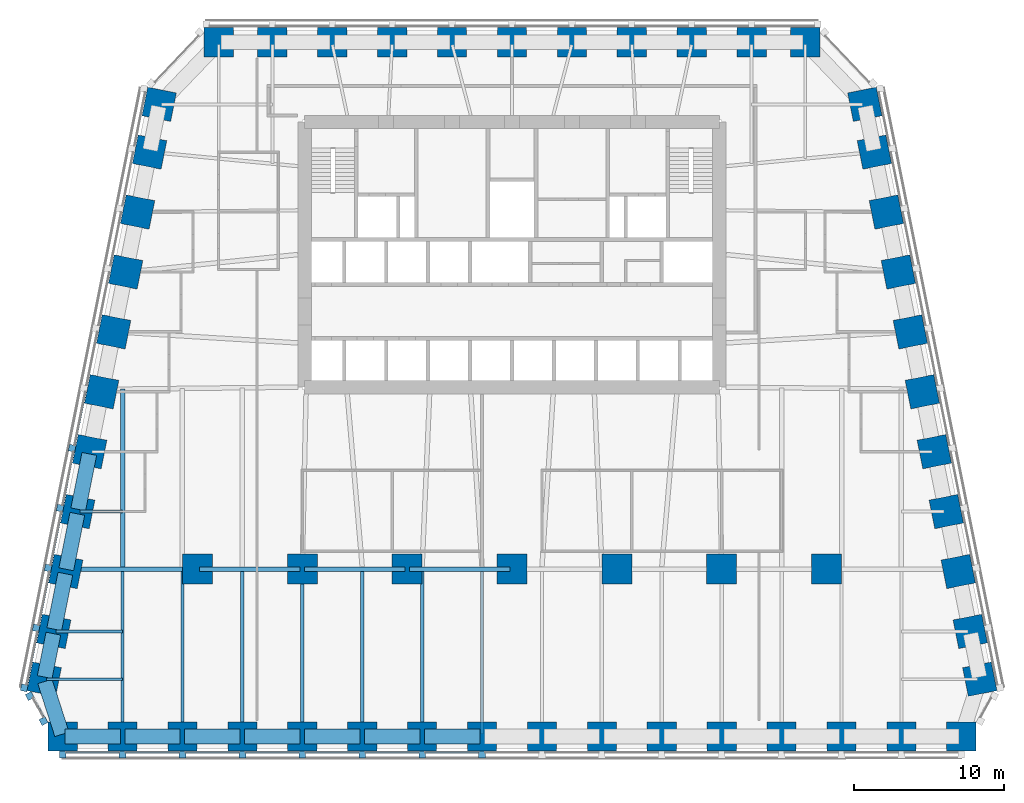
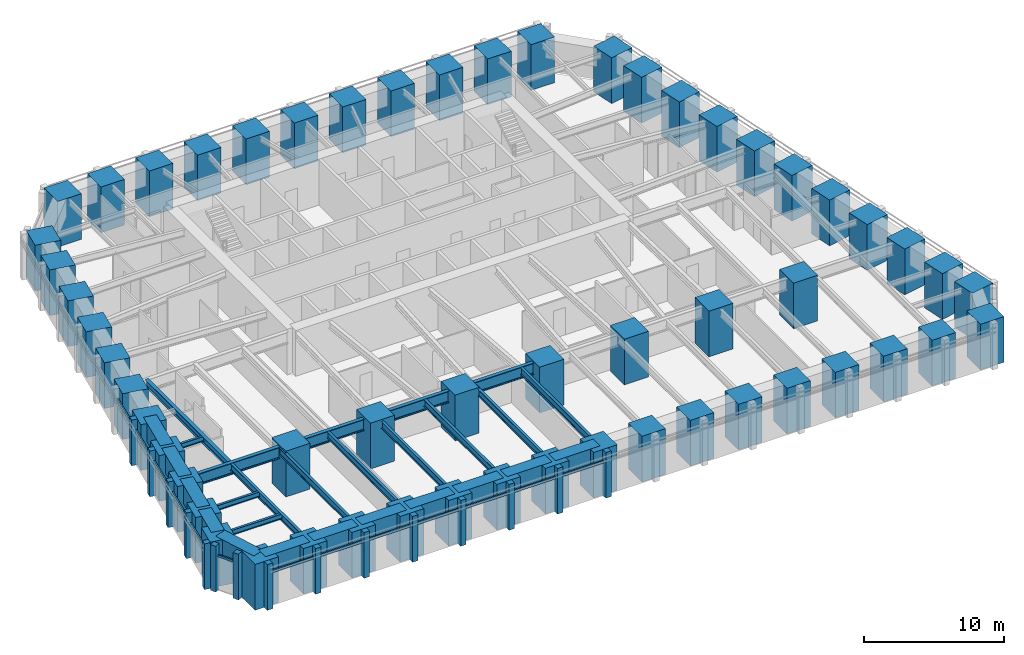
# One storey, part 1 of 10: 56 columns, 28 members, 27 beams, 3 elements without a shape of their own.
"""IFC4 building model written with IfcOpenShell, lengths in metres."""

from ifc_helpers import new_model, si_unit, direction, frame, origin, origin_2d, place, context, subcontext, project, spatial, rectangle, i_section, extrude, material, material_profile, profile_set, type_object, element, aggregate, save


model = new_model("IFC4")

# Units and contexts
model_context = context("Model", 3, precision=1e-05, world=origin(), true_north=direction((0.0, 1.0)))
body_context = subcontext(model_context, "Body", "Model", "MODEL_VIEW")
ifc_project = project(units=[si_unit("LENGTHUNIT", "METRE"), si_unit("AREAUNIT", "SQUARE_METRE"), si_unit("VOLUMEUNIT", "CUBIC_METRE"), si_unit("PLANEANGLEUNIT", "RADIAN"), si_unit("MASSUNIT", "GRAM", prefix="KILO")], contexts=[model_context])

# Site, building, storey
site_placement = place(None, origin())
site = spatial("IfcSite", under=ifc_project, at=site_placement, CompositionType="ELEMENT")
building_placement = place(site_placement, origin())
building = spatial("IfcBuilding", under=site, at=building_placement, Name="Isbrekke Arena Tower", CompositionType="ELEMENT")
storey_placement = place(building_placement, frame((0.0, 0.0, 68.0)))
storey = spatial("IfcBuildingStorey", under=building, at=storey_placement, Name="L14", CompositionType="ELEMENT", Elevation=68.0)

# Columns
ifc_material_1 = material(Name="Concrete B90 (C90/105)", Category="concrete")
ifc_material_profile_1 = material_profile(ifc_material_1, rectangle(XDim=2.0, YDim=2.0, at=origin_2d()), Name="RC 2000x2000")
ifc_profile_set_1 = profile_set([ifc_material_profile_1], Name="Concrete B90 (C90/105)")
column_type_1 = type_object("IfcColumnType", Name="C11 RC 2000 x 2000", PredefinedType="COLUMN", material=ifc_profile_set_1)
for number, where, z_axis, x_axis, name in (
    (1, (-21.0, -6.0, 0.0), (0.0, 0.0, 1.0), (1.0, 0.0, 0.0), "C11 I01"),
    (2, (-14.0, -6.0, 0.0), (0.0, 0.0, 1.0), (1.0, 0.0, 0.0), "C11 I02"),
    (3, (-7.0, -6.0, 0.0), (0.0, 0.0, 1.0), (1.0, 0.0, 0.0), "C11 I03"),
    (4, (0.0, -6.0, 0.0), (0.0, 0.0, 1.0), (1.0, 0.0, 0.0), "C11 I04"),
    (5, (7.0, -6.0, 0.0), (0.0, 0.0, 1.0), (1.0, 0.0, 0.0), "C11 I05"),
    (6, (14.0, -6.0, 0.0), (0.0, 0.0, 1.0), (1.0, 0.0, 0.0), "C11 I06"),
    (7, (21.0, -6.0, 0.0), (0.0, 0.0, 1.0), (1.0, 0.0, 0.0), "C11 I07"),
):
    element("IfcColumn", number, at=place(storey_placement, frame(where, z_axis=z_axis, x_axis=x_axis)), inside=storey, type_object=column_type_1, Name=name, PredefinedType="COLUMN", context=body_context, shape_type="SweptSolid", body=[
        extrude(rectangle(XDim=2.0, YDim=2.0, at=origin_2d()), origin(), (0.0, 0.0, 1.0), 4.0),
    ])
ifc_material_2 = material(Name="Concrete B90 (C90/105)", Category="concrete")
ifc_material_profile_2 = material_profile(ifc_material_2, rectangle(XDim=1.949951171875, YDim=1.949951171875, at=origin_2d()), Name="RC 1950x1950")
ifc_profile_set_2 = profile_set([ifc_material_profile_2], Name="Concrete B90 (C90/105)")
column_type_2 = type_object("IfcColumnType", Name="C2 RC 1950 x 1950", PredefinedType="COLUMN", material=ifc_profile_set_2)
for number, where, z_axis, x_axis, name in (
    (8, (-30.0, -17.175048828125, 0.0), (0.0, 0.0, 1.0), (1.0, 0.0, 0.0), "C2 S01"),
    (9, (-26.0, -17.175048828125, 0.0), (0.0, 0.0, 1.0), (1.0, 0.0, 0.0), "C2 S02"),
    (10, (-22.0, -17.175048828125, 0.0), (0.0, 0.0, 1.0), (1.0, 0.0, 0.0), "C2 S03"),
    (11, (-18.0, -17.175048828125, 0.0), (0.0, 0.0, 1.0), (1.0, 0.0, 0.0), "C2 S04"),
    (12, (-14.0, -17.175048828125, 0.0), (0.0, 0.0, 1.0), (1.0, 0.0, 0.0), "C2 S05"),
    (13, (-10.0, -17.175048828125, 0.0), (0.0, 0.0, 1.0), (1.0, 0.0, 0.0), "C2 S06"),
    (14, (-6.0, -17.175048828125, 0.0), (0.0, 0.0, 1.0), (1.0, 0.0, 0.0), "C2 S07"),
    (15, (-2.0, -17.175048828125, 0.0), (0.0, 0.0, 1.0), (1.0, 0.0, 0.0), "C2 S08"),
    (16, (2.0, -17.175048828125, 0.0), (0.0, 0.0, 1.0), (1.0, 0.0, 0.0), "C2 S09"),
    (17, (6.0, -17.175048828125, 0.0), (0.0, 0.0, 1.0), (1.0, 0.0, 0.0), "C2 S10"),
    (18, (10.0, -17.175048828125, 0.0), (0.0, 0.0, 1.0), (1.0, 0.0, 0.0), "C2 S11"),
    (19, (14.0, -17.175048828125, 0.0), (0.0, 0.0, 1.0), (1.0, 0.0, 0.0), "C2 S12"),
    (20, (18.0, -17.175048828125, 0.0), (0.0, 0.0, 1.0), (1.0, 0.0, 0.0), "C2 S13"),
    (21, (22.0, -17.175048828125, 0.0), (0.0, 0.0, 1.0), (1.0, 0.0, 0.0), "C2 S14"),
    (22, (26.0, -17.175048828125, 0.0), (0.0, 0.0, 1.0), (1.0, 0.0, 0.0), "C2 S15"),
    (23, (30.0, -17.175048828125, 0.0), (0.0, 0.0, 1.0), (1.0, 0.0, 0.0), "C2 S16"),
    (24, (31.229248046875, -13.352783203125, 0.0), (0.0, 0.0, 1.0), (-0.196116135138, 0.980580675691, 0.0), "C2 E01"),
    (25, (30.591064453125, -10.161865234375, 0.0), (0.0, 0.0, 1.0), (-0.196116135138, 0.980580675691, 0.0), "C2 E02"),
    (26, (29.791015625, -6.161865234375, 0.0), (0.0, 0.0, 1.0), (-0.196116135138, 0.980580675691, 0.0), "C2 E03"),
    (27, (28.990966796875, -2.161865234375, 0.0), (0.0, 0.0, 1.0), (-0.196116135138, 0.980580675691, 0.0), "C2 E04"),
    (28, (28.19091796875, 1.838134765625, 0.0), (0.0, 0.0, 1.0), (-0.196116135138, 0.980580675691, 0.0), "C2 E05"),
    (29, (27.39111328125, 5.838134765625, 0.0), (0.0, 0.0, 1.0), (-0.196116135138, 0.980580675691, 0.0), "C2 E06"),
    (30, (26.591064453125, 9.838134765625, 0.0), (0.0, 0.0, 1.0), (-0.196116135138, 0.980580675691, 0.0), "C2 E07"),
    (31, (25.791015625, 13.838134765625, 0.0), (0.0, 0.0, 1.0), (-0.196116135138, 0.980580675691, 0.0), "C2 E08"),
    (32, (24.990966796875, 17.838134765625, 0.0), (0.0, 0.0, 1.0), (-0.196116135138, 0.980580675691, 0.0), "C2 E09"),
    (33, (24.19091796875, 21.838134765625, 0.0), (0.0, 0.0, 1.0), (-0.196116135138, 0.980580675691, 0.0), "C2 E10"),
    (34, (23.552734375, 25.029296875, 0.0), (0.0, 0.0, 1.0), (-0.196116135138, 0.980580675691, 0.0), "C2 E11"),
    (35, (19.574951171875, 29.175048828125, 0.0), (0.0, 0.0, 1.0), (-1.0, 0.0, 0.0), "C2 N01"),
    (36, (16.0, 29.175048828125, 0.0), (0.0, 0.0, 1.0), (-1.0, 0.0, 0.0), "C2 N02"),
    (37, (12.0, 29.175048828125, 0.0), (0.0, 0.0, 1.0), (-1.0, 0.0, 0.0), "C2 N03"),
    (38, (8.0, 29.175048828125, 0.0), (0.0, 0.0, 1.0), (-1.0, 0.0, 0.0), "C2 N04"),
    (39, (4.0, 29.175048828125, 0.0), (0.0, 0.0, 1.0), (-1.0, 0.0, 0.0), "C2 N05"),
    (40, (0.0, 29.175048828125, 0.0), (0.0, 0.0, 1.0), (-1.0, 0.0, 0.0), "C2 N06"),
    (41, (-4.0, 29.175048828125, 0.0), (0.0, 0.0, 1.0), (-1.0, 0.0, 0.0), "C2 N07"),
    (42, (-8.0, 29.175048828125, 0.0), (0.0, 0.0, 1.0), (-1.0, 0.0, 0.0), "C2 N08"),
    (43, (-12.0, 29.175048828125, 0.0), (0.0, 0.0, 1.0), (-1.0, 0.0, 0.0), "C2 N09"),
    (44, (-16.0, 29.175048828125, 0.0), (0.0, 0.0, 1.0), (-1.0, 0.0, 0.0), "C2 N10"),
    (45, (-19.574951171875, 29.175048828125, 0.0), (0.0, 0.0, 1.0), (-1.0, 0.0, 0.0), "C2 N11"),
    (46, (-23.552734375, 25.029296875, 0.0), (0.0, 0.0, 1.0), (-0.196116135138, -0.980580675691, 0.0), "C2 W01"),
    (47, (-24.19091796875, 21.838134765625, 0.0), (0.0, 0.0, 1.0), (-0.196116135138, -0.980580675691, 0.0), "C2 W02"),
    (48, (-24.990966796875, 17.838134765625, 0.0), (0.0, 0.0, 1.0), (-0.196116135138, -0.980580675691, 0.0), "C2 W03"),
    (49, (-25.791015625, 13.838134765625, 0.0), (0.0, 0.0, 1.0), (-0.196116135138, -0.980580675691, 0.0), "C2 W04"),
    (50, (-26.591064453125, 9.838134765625, 0.0), (0.0, 0.0, 1.0), (-0.196116135138, -0.980580675691, 0.0), "C2 W05"),
    (51, (-27.39111328125, 5.838134765625, 0.0), (0.0, 0.0, 1.0), (-0.196116135138, -0.980580675691, 0.0), "C2 W06"),
    (52, (-28.19091796875, 1.838134765625, 0.0), (0.0, 0.0, 1.0), (-0.196116135138, -0.980580675691, 0.0), "C2 W07"),
    (53, (-28.990966796875, -2.161865234375, 0.0), (0.0, 0.0, 1.0), (-0.196116135138, -0.980580675691, 0.0), "C2 W08"),
    (54, (-29.791015625, -6.161865234375, 0.0), (0.0, 0.0, 1.0), (-0.196116135138, -0.980580675691, 0.0), "C2 W09"),
    (55, (-30.591064453125, -10.161865234375, 0.0), (0.0, 0.0, 1.0), (-0.196116135138, -0.980580675691, 0.0), "C2 W10"),
    (56, (-31.229248046875, -13.352783203125, 0.0), (0.0, 0.0, 1.0), (-0.196116135138, -0.980580675691, 0.0), "C2 W11"),
):
    element("IfcColumn", number, at=place(storey_placement, frame(where, z_axis=z_axis, x_axis=x_axis)), inside=storey, type_object=column_type_2, Name=name, PredefinedType="COLUMN", context=body_context, shape_type="SweptSolid", body=[
        extrude(rectangle(XDim=1.949951171875, YDim=1.949951171875, at=origin_2d()), origin(), (0.0, 0.0, 1.0), 4.0),
    ])

# Beams
ifc_material_3 = material(Name="Steel S355", Category="steel")
ifc_material_profile_3 = material_profile(ifc_material_3, i_section(OverallWidth=0.219970703125, OverallDepth=0.60009765625, WebThickness=0.011962890625, FlangeThickness=0.01904296875, FilletRadius=0.02392578125, at=origin_2d()), Name="IPE 600")
ifc_profile_set_3 = profile_set([ifc_material_profile_3], Name="Steel S355")
beam_type_1 = type_object("IfcBeamType", Name="B1 IPE 600", PredefinedType="BEAM", material=ifc_profile_set_3)
for number, where, z_axis, x_axis, name in (
    (57, (-26.0, -17.02490234375, 3.550048828125), (0.0, 1.0, 0.0), (-1.0, 0.0, 0.0), "B1 beam S-S02 L14"),
    (58, (-22.0, -17.02490234375, 3.550048828125), (0.0, 1.0, 0.0), (-1.0, 0.0, 0.0), "B1 beam S-S03 L14"),
    (59, (-18.0, -17.02490234375, 3.550048828125), (0.0, 1.0, 0.0), (-1.0, 0.0, 0.0), "B1 beam S-S04 L14"),
):
    element("IfcBeam", number, at=place(storey_placement, frame(where, z_axis=z_axis, x_axis=x_axis)), inside=storey, type_object=beam_type_1, Name=name, PredefinedType="BEAM", context=body_context, shape_type="SweptSolid", body=[
        extrude(i_section(OverallWidth=0.219970703125, OverallDepth=0.60009765625, WebThickness=0.011962890625, FlangeThickness=0.01904296875, FilletRadius=0.02392578125, at=origin_2d()), origin(), (0.0, 0.0, 1.0), 10.8740234375),
    ])
beam_1_placement = place(storey_placement, frame((-14.0, -17.02490234375, 3.550048828125), z_axis=(0.0, 1.0, 0.0), x_axis=(-1.0, 0.0, 0.0)))
element("IfcBeam", 60, at=beam_1_placement, inside=storey, type_object=beam_type_1, Name="B1 beam S-S05 L14", PredefinedType="BEAM", context=body_context, shape_type="SweptSolid", body=[
    extrude(i_section(OverallWidth=0.219970703125, OverallDepth=0.60009765625, WebThickness=0.011962890625, FlangeThickness=0.01904296875, FilletRadius=0.02392578125, at=origin_2d()), origin(), (0.0, 0.0, 1.0), 10.875),
])
for number, where, z_axis, x_axis, name in (
    (61, (-10.0, -17.02490234375, 3.550048828125), (0.0, 1.0, 0.0), (-1.0, 0.0, 0.0), "B1 beam S-S06 L14"),
    (62, (-6.0, -17.02490234375, 3.550048828125), (0.0, 1.0, 0.0), (-1.0, 0.0, 0.0), "B1 beam S-S07 L14"),
    (63, (-2.0, -17.02490234375, 3.550048828125), (0.0, 1.0, 0.0), (-1.0, 0.0, 0.0), "B1 beam S-S08 L14"),
):
    element("IfcBeam", number, at=place(storey_placement, frame(where, z_axis=z_axis, x_axis=x_axis)), inside=storey, type_object=beam_type_1, Name=name, PredefinedType="BEAM", context=body_context, shape_type="SweptSolid", body=[
        extrude(i_section(OverallWidth=0.219970703125, OverallDepth=0.60009765625, WebThickness=0.011962890625, FlangeThickness=0.01904296875, FilletRadius=0.02392578125, at=origin_2d()), origin(), (0.0, 0.0, 1.0), 10.8740234375),
    ])
ifc_material_4 = material(Name="Steel S355", Category="steel")
ifc_material_profile_4 = material_profile(ifc_material_4, i_section(OverallWidth=0.18994140625, OverallDepth=0.449951171875, WebThickness=0.009521484375, FlangeThickness=0.0146484375, FilletRadius=0.02099609375, at=origin_2d()), Name="IPE 450")
ifc_profile_set_4 = profile_set([ifc_material_profile_4], Name="Steel S355")
beam_type_2 = type_object("IfcBeamType", Name="B2 IPE 450", PredefinedType="BEAM", material=ifc_profile_set_4)
beam_2_placement = place(storey_placement, frame((-28.841064453125, -2.161865234375, 3.625), z_axis=(1.0, 0.0, 0.0), x_axis=(0.0, 1.0, 0.0)))
element("IfcBeam", 64, at=beam_2_placement, inside=storey, type_object=beam_type_2, Name="B2 beam E-W08 L14", PredefinedType="BEAM", context=body_context, shape_type="SweptSolid", body=[
    extrude(i_section(OverallWidth=0.18994140625, OverallDepth=0.449951171875, WebThickness=0.009521484375, FlangeThickness=0.0146484375, FilletRadius=0.02099609375, at=origin_2d()), origin(), (0.0, 0.0, 1.0), 2.841064453125),
])
beam_3_placement = place(storey_placement, frame((-30.44091796875, -10.161865234375, 3.625), z_axis=(1.0, 0.0, 0.0), x_axis=(0.0, 1.0, 0.0)))
element("IfcBeam", 65, at=beam_3_placement, inside=storey, type_object=beam_type_2, Name="B2 beam E-W10 L14", PredefinedType="BEAM", context=body_context, shape_type="SweptSolid", body=[
    extrude(i_section(OverallWidth=0.18994140625, OverallDepth=0.449951171875, WebThickness=0.009521484375, FlangeThickness=0.0146484375, FilletRadius=0.02099609375, at=origin_2d()), origin(), (0.0, 0.0, 1.0), 4.44091796875),
])
beam_4_placement = place(storey_placement, frame((-31.079345703125, -13.352783203125, 3.625), z_axis=(1.0, 0.0, 0.0), x_axis=(0.0, 1.0, 0.0)))
element("IfcBeam", 66, at=beam_4_placement, inside=storey, type_object=beam_type_2, Name="B2 beam E-W11 L14", PredefinedType="BEAM", context=body_context, shape_type="SweptSolid", body=[
    extrude(i_section(OverallWidth=0.18994140625, OverallDepth=0.449951171875, WebThickness=0.009521484375, FlangeThickness=0.0146484375, FilletRadius=0.02099609375, at=origin_2d()), origin(), (0.0, 0.0, 1.0), 5.079345703125),
])
ifc_material_5 = material(Name="Steel S355", Category="steel")
ifc_material_profile_5 = material_profile(ifc_material_5, i_section(OverallWidth=0.300048828125, OverallDepth=0.60009765625, WebThickness=0.015380859375, FlangeThickness=0.030029296875, FilletRadius=0.027099609375, at=origin_2d()), Name="HEB 600")
ifc_profile_set_5 = profile_set([ifc_material_profile_5], Name="Steel S355")
beam_type_3 = type_object("IfcBeamType", Name="B7 HEB 600", PredefinedType="BEAM", material=ifc_profile_set_5)
beam_5_placement = place(storey_placement, frame((-26.0, -5.84912109375, 3.550048828125), z_axis=(0.0, 1.0, 0.0), x_axis=(-1.0, 0.0, 0.0)))
element("IfcBeam", 67, at=beam_5_placement, inside=storey, type_object=beam_type_3, Name="B7 beam C-M01 L14", PredefinedType="BEAM", context=body_context, shape_type="SweptSolid", body=[
    extrude(i_section(OverallWidth=0.300048828125, OverallDepth=0.60009765625, WebThickness=0.015380859375, FlangeThickness=0.030029296875, FilletRadius=0.027099609375, at=origin_2d()), origin(), (0.0, 0.0, 1.0), 11.864990234375),
])

# Curtain wall, members
ifc_material_6 = material(Name="Glazed aluminium curtain wall", Category="aluminium")
curtain_wall_type = type_object("IfcCurtainWallType", Name="CWL TOWER CURTAIN WALL LOW ZONE", PredefinedType="USERDEFINED", material=ifc_material_6)
curtain_wall_1_placement = place(storey_placement, origin())
curtain_wall_1 = element("IfcCurtainWall", 68, at=curtain_wall_1_placement, inside=storey, type_object=curtain_wall_type, Name="CWL curtain wall L14-S", ObjectType="TOWER CURTAIN WALL LOW ZONE", PredefinedType="USERDEFINED")
ifc_material_7 = material(Name="Aluminium mullion, pale brick slip cladding", Category="masonry")
ifc_material_profile_6 = material_profile(ifc_material_7, rectangle(XDim=0.449951171875, YDim=0.449951171875, at=origin_2d()), Name="PIER 450X450")
ifc_profile_set_6 = profile_set([ifc_material_profile_6], Name="Aluminium mullion, pale brick slip cladding")
member_type_1 = type_object("IfcMemberType", Name="CWL-M PIER MULLION 450 x 450", PredefinedType="MULLION", material=ifc_profile_set_6)
member_1_placement = place(storey_placement, frame((-30.0, -18.375, 0.0), z_axis=(0.0, 0.0, 1.0), x_axis=(1.0, 0.0, 0.0)))
member_1 = element("IfcMember", 69, at=member_1_placement, type_object=member_type_1, Name="CWL-M mullion 1", PredefinedType="MULLION", context=body_context, shape_type="SweptSolid", body=[
    extrude(rectangle(XDim=0.449951171875, YDim=0.449951171875, at=origin_2d()), origin(), (0.0, 0.0, 1.0), 4.0),
])
member_2_placement = place(storey_placement, frame((-26.0, -18.375, 0.0), z_axis=(0.0, 0.0, 1.0), x_axis=(1.0, 0.0, 0.0)))
member_2 = element("IfcMember", 70, at=member_2_placement, type_object=member_type_1, Name="CWL-M mullion 2", PredefinedType="MULLION", context=body_context, shape_type="SweptSolid", body=[
    extrude(rectangle(XDim=0.449951171875, YDim=0.449951171875, at=origin_2d()), origin(), (0.0, 0.0, 1.0), 4.0),
])
member_3_placement = place(storey_placement, frame((-22.0, -18.375, 0.0), z_axis=(0.0, 0.0, 1.0), x_axis=(1.0, 0.0, 0.0)))
member_3 = element("IfcMember", 71, at=member_3_placement, type_object=member_type_1, Name="CWL-M mullion 3", PredefinedType="MULLION", context=body_context, shape_type="SweptSolid", body=[
    extrude(rectangle(XDim=0.449951171875, YDim=0.449951171875, at=origin_2d()), origin(), (0.0, 0.0, 1.0), 4.0),
])
member_4_placement = place(storey_placement, frame((-18.0, -18.375, 0.0), z_axis=(0.0, 0.0, 1.0), x_axis=(1.0, 0.0, 0.0)))
member_4 = element("IfcMember", 72, at=member_4_placement, type_object=member_type_1, Name="CWL-M mullion 4", PredefinedType="MULLION", context=body_context, shape_type="SweptSolid", body=[
    extrude(rectangle(XDim=0.449951171875, YDim=0.449951171875, at=origin_2d()), origin(), (0.0, 0.0, 1.0), 4.0),
])
member_5_placement = place(storey_placement, frame((-14.0, -18.375, 0.0), z_axis=(0.0, 0.0, 1.0), x_axis=(1.0, 0.0, 0.0)))
member_5 = element("IfcMember", 73, at=member_5_placement, type_object=member_type_1, Name="CWL-M mullion 5", PredefinedType="MULLION", context=body_context, shape_type="SweptSolid", body=[
    extrude(rectangle(XDim=0.449951171875, YDim=0.449951171875, at=origin_2d()), origin(), (0.0, 0.0, 1.0), 4.0),
])
member_6_placement = place(storey_placement, frame((-10.0, -18.375, 0.0), z_axis=(0.0, 0.0, 1.0), x_axis=(1.0, 0.0, 0.0)))
member_6 = element("IfcMember", 74, at=member_6_placement, type_object=member_type_1, Name="CWL-M mullion 6", PredefinedType="MULLION", context=body_context, shape_type="SweptSolid", body=[
    extrude(rectangle(XDim=0.449951171875, YDim=0.449951171875, at=origin_2d()), origin(), (0.0, 0.0, 1.0), 4.0),
])
member_7_placement = place(storey_placement, frame((-6.0, -18.375, 0.0), z_axis=(0.0, 0.0, 1.0), x_axis=(1.0, 0.0, 0.0)))
member_7 = element("IfcMember", 75, at=member_7_placement, type_object=member_type_1, Name="CWL-M mullion 7", PredefinedType="MULLION", context=body_context, shape_type="SweptSolid", body=[
    extrude(rectangle(XDim=0.449951171875, YDim=0.449951171875, at=origin_2d()), origin(), (0.0, 0.0, 1.0), 4.0),
])
member_8_placement = place(storey_placement, frame((-2.0, -18.375, 0.0), z_axis=(0.0, 0.0, 1.0), x_axis=(1.0, 0.0, 0.0)))
member_8 = element("IfcMember", 76, at=member_8_placement, type_object=member_type_1, Name="CWL-M mullion 8", PredefinedType="MULLION", context=body_context, shape_type="SweptSolid", body=[
    extrude(rectangle(XDim=0.449951171875, YDim=0.449951171875, at=origin_2d()), origin(), (0.0, 0.0, 1.0), 4.0),
])

curtain_wall_2_placement = place(storey_placement, origin())
curtain_wall_2 = element("IfcCurtainWall", 77, at=curtain_wall_2_placement, inside=storey, type_object=curtain_wall_type, Name="CWL curtain wall L14-W", ObjectType="TOWER CURTAIN WALL LOW ZONE", PredefinedType="USERDEFINED")
member_9_placement = place(storey_placement, frame((-29.36767578125, 2.073486328125, 0.0), z_axis=(0.0, 0.0, 1.0), x_axis=(-0.196116135138, -0.980580675691, 0.0)))
member_9 = element("IfcMember", 78, at=member_9_placement, type_object=member_type_1, Name="CWL-M mullion 7", PredefinedType="MULLION", context=body_context, shape_type="SweptSolid", body=[
    extrude(rectangle(XDim=0.449951171875, YDim=0.449951171875, at=origin_2d()), origin(), (0.0, 0.0, 1.0), 4.0),
])
member_10_placement = place(storey_placement, frame((-30.167724609375, -1.926513671875, 0.0), z_axis=(0.0, 0.0, 1.0), x_axis=(-0.196116135138, -0.980580675691, 0.0)))
member_10 = element("IfcMember", 79, at=member_10_placement, type_object=member_type_1, Name="CWL-M mullion 8", PredefinedType="MULLION", context=body_context, shape_type="SweptSolid", body=[
    extrude(rectangle(XDim=0.449951171875, YDim=0.449951171875, at=origin_2d()), origin(), (0.0, 0.0, 1.0), 4.0),
])
member_11_placement = place(storey_placement, frame((-30.9677734375, -5.926513671875, 0.0), z_axis=(0.0, 0.0, 1.0), x_axis=(-0.196116135138, -0.980580675691, 0.0)))
member_11 = element("IfcMember", 80, at=member_11_placement, type_object=member_type_1, Name="CWL-M mullion 9", PredefinedType="MULLION", context=body_context, shape_type="SweptSolid", body=[
    extrude(rectangle(XDim=0.449951171875, YDim=0.449951171875, at=origin_2d()), origin(), (0.0, 0.0, 1.0), 4.0),
])
member_12_placement = place(storey_placement, frame((-31.767822265625, -9.926513671875, 0.0), z_axis=(0.0, 0.0, 1.0), x_axis=(-0.196116135138, -0.980580675691, 0.0)))
member_12 = element("IfcMember", 81, at=member_12_placement, type_object=member_type_1, Name="CWL-M mullion 10", PredefinedType="MULLION", context=body_context, shape_type="SweptSolid", body=[
    extrude(rectangle(XDim=0.449951171875, YDim=0.449951171875, at=origin_2d()), origin(), (0.0, 0.0, 1.0), 4.0),
])
member_13_placement = place(storey_placement, frame((-32.567626953125, -13.926513671875, 0.0), z_axis=(0.0, 0.0, 1.0), x_axis=(-0.196116135138, -0.980580675691, 0.0)))
member_13 = element("IfcMember", 82, at=member_13_placement, type_object=member_type_1, Name="CWL-M mullion 11", PredefinedType="MULLION", context=body_context, shape_type="SweptSolid", body=[
    extrude(rectangle(XDim=0.449951171875, YDim=0.449951171875, at=origin_2d()), origin(), (0.0, 0.0, 1.0), 4.0),
])

curtain_wall_3_placement = place(storey_placement, origin())
curtain_wall_3 = element("IfcCurtainWall", 83, at=curtain_wall_3_placement, inside=storey, type_object=curtain_wall_type, Name="CWL curtain wall L14-WS", ObjectType="TOWER CURTAIN WALL LOW ZONE", PredefinedType="USERDEFINED")
member_14_placement = place(storey_placement, frame((-32.19580078125, -14.474609375, 0.0), z_axis=(0.0, 0.0, 1.0), x_axis=(0.481918749773, -0.876215908676, 0.0)))
member_14 = element("IfcMember", 84, at=member_14_placement, type_object=member_type_1, Name="CWL-M mullion 1", PredefinedType="MULLION", context=body_context, shape_type="SweptSolid", body=[
    extrude(rectangle(XDim=0.449951171875, YDim=0.449951171875, at=origin_2d()), origin(), (0.0, 0.0, 1.0), 4.0),
])
member_15_placement = place(storey_placement, frame((-31.277587890625, -16.14404296875, 0.0), z_axis=(0.0, 0.0, 1.0), x_axis=(0.481918749773, -0.876215908676, 0.0)))
member_15 = element("IfcMember", 85, at=member_15_placement, type_object=member_type_1, Name="CWL-M mullion 2", PredefinedType="MULLION", context=body_context, shape_type="SweptSolid", body=[
    extrude(rectangle(XDim=0.449951171875, YDim=0.449951171875, at=origin_2d()), origin(), (0.0, 0.0, 1.0), 4.0),
])

# Member
ifc_material_8 = material(Name="Aluminium transom", Category="aluminium")
ifc_material_profile_7 = material_profile(ifc_material_8, rectangle(XDim=0.1201171875, YDim=0.199951171875, at=origin_2d()), Name="TRANSOM 120X200")
ifc_profile_set_7 = profile_set([ifc_material_profile_7], Name="Aluminium transom")
member_type_2 = type_object("IfcMemberType", Name="CWL-T TRANSOM 120 x 200", PredefinedType="USERDEFINED", material=ifc_profile_set_7)
member_16_placement = place(storey_placement, frame((-29.77490234375, -18.25, 3.0), z_axis=(1.0, 0.0, 0.0), x_axis=(0.0, 1.0, 0.0)))
member_16 = element("IfcMember", 86, at=member_16_placement, type_object=member_type_2, Name="CWL-T transom 1", ObjectType="TRANSOM", PredefinedType="USERDEFINED", context=body_context, shape_type="SweptSolid", body=[
    extrude(rectangle(XDim=0.1201171875, YDim=0.199951171875, at=origin_2d()), origin(), (0.0, 0.0, 1.0), 3.5498046875),
])

member_17_placement = place(storey_placement, frame((-25.77490234375, -18.25, 3.0), z_axis=(1.0, 0.0, 0.0), x_axis=(0.0, 1.0, 0.0)))
member_17 = element("IfcMember", 87, at=member_17_placement, type_object=member_type_2, Name="CWL-T transom 2", ObjectType="TRANSOM", PredefinedType="USERDEFINED", context=body_context, shape_type="SweptSolid", body=[
    extrude(rectangle(XDim=0.1201171875, YDim=0.199951171875, at=origin_2d()), origin(), (0.0, 0.0, 1.0), 3.5498046875),
])

member_18_placement = place(storey_placement, frame((-21.77490234375, -18.25, 3.0), z_axis=(1.0, 0.0, 0.0), x_axis=(0.0, 1.0, 0.0)))
member_18 = element("IfcMember", 88, at=member_18_placement, type_object=member_type_2, Name="CWL-T transom 3", ObjectType="TRANSOM", PredefinedType="USERDEFINED", context=body_context, shape_type="SweptSolid", body=[
    extrude(rectangle(XDim=0.1201171875, YDim=0.199951171875, at=origin_2d()), origin(), (0.0, 0.0, 1.0), 3.5498046875),
])

member_19_placement = place(storey_placement, frame((-17.77490234375, -18.25, 3.0), z_axis=(1.0, 0.0, 0.0), x_axis=(0.0, 1.0, 0.0)))
member_19 = element("IfcMember", 89, at=member_19_placement, type_object=member_type_2, Name="CWL-T transom 4", ObjectType="TRANSOM", PredefinedType="USERDEFINED", context=body_context, shape_type="SweptSolid", body=[
    extrude(rectangle(XDim=0.1201171875, YDim=0.199951171875, at=origin_2d()), origin(), (0.0, 0.0, 1.0), 3.5498046875),
])

member_20_placement = place(storey_placement, frame((-13.77490234375, -18.25, 3.0), z_axis=(1.0, 0.0, 0.0), x_axis=(0.0, 1.0, 0.0)))
member_20 = element("IfcMember", 90, at=member_20_placement, type_object=member_type_2, Name="CWL-T transom 5", ObjectType="TRANSOM", PredefinedType="USERDEFINED", context=body_context, shape_type="SweptSolid", body=[
    extrude(rectangle(XDim=0.1201171875, YDim=0.199951171875, at=origin_2d()), origin(), (0.0, 0.0, 1.0), 3.5498046875),
])

member_21_placement = place(storey_placement, frame((-9.77490234375, -18.25, 3.0), z_axis=(1.0, 0.0, 0.0), x_axis=(0.0, 1.0, 0.0)))
member_21 = element("IfcMember", 91, at=member_21_placement, type_object=member_type_2, Name="CWL-T transom 6", ObjectType="TRANSOM", PredefinedType="USERDEFINED", context=body_context, shape_type="SweptSolid", body=[
    extrude(rectangle(XDim=0.1201171875, YDim=0.199951171875, at=origin_2d()), origin(), (0.0, 0.0, 1.0), 3.5498046875),
])

member_22_placement = place(storey_placement, frame((-5.77490234375, -18.25, 3.0), z_axis=(1.0, 0.0, 0.0), x_axis=(0.0, 1.0, 0.0)))
member_22 = element("IfcMember", 92, at=member_22_placement, type_object=member_type_2, Name="CWL-T transom 7", ObjectType="TRANSOM", PredefinedType="USERDEFINED", context=body_context, shape_type="SweptSolid", body=[
    extrude(rectangle(XDim=0.1201171875, YDim=0.199951171875, at=origin_2d()), origin(), (0.0, 0.0, 1.0), 3.5498046875),
])

aggregate(curtain_wall_1, [member_1, member_2, member_3, member_4, member_5, member_6, member_7, member_8, member_16, member_17, member_18, member_19, member_20, member_21, member_22])

member_23_placement = place(storey_placement, frame((-28.4892578125, 5.828369140625, 3.0), z_axis=(-0.196103197847, -0.98058326306, 0.0), x_axis=(0.98058326306, -0.196103197847, 0.0)))
member_23 = element("IfcMember", 93, at=member_23_placement, type_object=member_type_2, Name="CWL-T transom 6", ObjectType="TRANSOM", PredefinedType="USERDEFINED", context=body_context, shape_type="SweptSolid", body=[
    extrude(rectangle(XDim=0.1201171875, YDim=0.199951171875, at=origin_2d()), origin(), (0.0, 0.0, 1.0), 3.629150390625),
])

member_24_placement = place(storey_placement, frame((-29.289306640625, 1.828369140625, 3.0), z_axis=(-0.196103197847, -0.98058326306, 0.0), x_axis=(0.98058326306, -0.196103197847, 0.0)))
member_24 = element("IfcMember", 94, at=member_24_placement, type_object=member_type_2, Name="CWL-T transom 7", ObjectType="TRANSOM", PredefinedType="USERDEFINED", context=body_context, shape_type="SweptSolid", body=[
    extrude(rectangle(XDim=0.1201171875, YDim=0.199951171875, at=origin_2d()), origin(), (0.0, 0.0, 1.0), 3.629150390625),
])

member_25_placement = place(storey_placement, frame((-30.08935546875, -2.171630859375, 3.0), z_axis=(-0.196103197847, -0.98058326306, 0.0), x_axis=(0.98058326306, -0.196103197847, 0.0)))
member_25 = element("IfcMember", 95, at=member_25_placement, type_object=member_type_2, Name="CWL-T transom 8", ObjectType="TRANSOM", PredefinedType="USERDEFINED", context=body_context, shape_type="SweptSolid", body=[
    extrude(rectangle(XDim=0.1201171875, YDim=0.199951171875, at=origin_2d()), origin(), (0.0, 0.0, 1.0), 3.629150390625),
])

member_26_placement = place(storey_placement, frame((-30.88916015625, -6.171630859375, 3.0), z_axis=(-0.196167883278, -0.980570324643, 0.0), x_axis=(0.980570324643, -0.196167883278, 0.0)))
member_26 = element("IfcMember", 96, at=member_26_placement, type_object=member_type_2, Name="CWL-T transom 9", ObjectType="TRANSOM", PredefinedType="USERDEFINED", context=body_context, shape_type="SweptSolid", body=[
    extrude(rectangle(XDim=0.1201171875, YDim=0.199951171875, at=origin_2d()), origin(), (0.0, 0.0, 1.0), 3.629150390625),
])

member_27_placement = place(storey_placement, frame((-31.689208984375, -10.171630859375, 3.0), z_axis=(-0.196167883278, -0.980570324643, 0.0), x_axis=(0.980570324643, -0.196167883278, 0.0)))
member_27 = element("IfcMember", 97, at=member_27_placement, type_object=member_type_2, Name="CWL-T transom 10", ObjectType="TRANSOM", PredefinedType="USERDEFINED", context=body_context, shape_type="SweptSolid", body=[
    extrude(rectangle(XDim=0.1201171875, YDim=0.199951171875, at=origin_2d()), origin(), (0.0, 0.0, 1.0), 3.629150390625),
])

aggregate(curtain_wall_2, [member_9, member_10, member_11, member_12, member_13, member_23, member_24, member_25, member_26, member_27])

member_28_placement = place(storey_placement, frame((-31.977783203125, -14.611572265625, 3.0), z_axis=(0.481905867223, -0.876222993955, 0.0), x_axis=(0.876222993955, 0.481905867223, 0.0)))
member_28 = element("IfcMember", 98, at=member_28_placement, type_object=member_type_2, Name="CWL-T transom 1", ObjectType="TRANSOM", PredefinedType="USERDEFINED", context=body_context, shape_type="SweptSolid", body=[
    extrude(rectangle(XDim=0.1201171875, YDim=0.199951171875, at=origin_2d()), origin(), (0.0, 0.0, 1.0), 1.455078125),
])

aggregate(curtain_wall_3, [member_14, member_15, member_28])

# Beams
ifc_material_9 = material(Name="Steel S355", Category="steel")
ifc_material_profile_8 = material_profile(ifc_material_9, i_section(OverallWidth=0.302001953125, OverallDepth=1.008056640625, WebThickness=0.02099609375, FlangeThickness=0.0400390625, FilletRadius=0.030029296875, at=origin_2d()), Name="HEM 1000")
ifc_profile_set_8 = profile_set([ifc_material_profile_8], Name="Steel S355")
beam_type_4 = type_object("IfcBeamType", Name="G1 HEM 1000", PredefinedType="BEAM", material=ifc_profile_set_8)
beam_6_placement = place(storey_placement, frame((-29.791015625, -6.0, 3.345947265625), z_axis=(1.0, 0.0, 0.0), x_axis=(0.0, 1.0, 0.0)))
element("IfcBeam", 99, at=beam_6_placement, inside=storey, type_object=beam_type_4, Name="G1 beam G1-01 L14", PredefinedType="BEAM", context=body_context, shape_type="SweptSolid", body=[
    extrude(i_section(OverallWidth=0.302001953125, OverallDepth=1.008056640625, WebThickness=0.02099609375, FlangeThickness=0.0400390625, FilletRadius=0.030029296875, at=origin_2d()), origin(), (0.0, 0.0, 1.0), 8.64111328125),
])
for number, where, z_axis, x_axis, name in (
    (100, (-20.85009765625, -6.0, 3.345947265625), (1.0, 0.0, 0.0), (0.0, 1.0, 0.0), "G1 beam G1-02 L14"),
    (101, (-13.85009765625, -6.0, 3.345947265625), (1.0, 0.0, 0.0), (0.0, 1.0, 0.0), "G1 beam G1-03 L14"),
    (102, (-6.85009765625, -6.0, 3.345947265625), (1.0, 0.0, 0.0), (0.0, 1.0, 0.0), "G1 beam G1-04 L14"),
):
    element("IfcBeam", number, at=place(storey_placement, frame(where, z_axis=z_axis, x_axis=x_axis)), inside=storey, type_object=beam_type_4, Name=name, PredefinedType="BEAM", context=body_context, shape_type="SweptSolid", body=[
        extrude(i_section(OverallWidth=0.302001953125, OverallDepth=1.008056640625, WebThickness=0.02099609375, FlangeThickness=0.0400390625, FilletRadius=0.030029296875, at=origin_2d()), origin(), (0.0, 0.0, 1.0), 6.7001953125),
    ])
ifc_material_10 = material(Name="Concrete B90 (C90/105)", Category="concrete")
ifc_material_profile_9 = material_profile(ifc_material_10, rectangle(XDim=1.0, YDim=1.60009765625, at=origin_2d()), Name="RC 1000x1600")
ifc_profile_set_9 = profile_set([ifc_material_profile_9], Name="Concrete B90 (C90/105)")
beam_type_5 = type_object("IfcBeamType", Name="SB1 RC 1000 x 1600", PredefinedType="SPANDREL", material=ifc_profile_set_9)
for number, where, z_axis, x_axis, name in (
    (103, (-29.85009765625, -17.175048828125, 3.199951171875), (1.0, 0.0, 0.0), (0.0, 1.0, 0.0), "SB1 spandrel S01-S02 L14"),
    (104, (-25.85009765625, -17.175048828125, 3.199951171875), (1.0, 0.0, 0.0), (0.0, 1.0, 0.0), "SB1 spandrel S02-S03 L14"),
    (105, (-21.85009765625, -17.175048828125, 3.199951171875), (1.0, 0.0, 0.0), (0.0, 1.0, 0.0), "SB1 spandrel S03-S04 L14"),
    (106, (-17.85009765625, -17.175048828125, 3.199951171875), (1.0, 0.0, 0.0), (0.0, 1.0, 0.0), "SB1 spandrel S04-S05 L14"),
    (107, (-13.85009765625, -17.175048828125, 3.199951171875), (1.0, 0.0, 0.0), (0.0, 1.0, 0.0), "SB1 spandrel S05-S06 L14"),
    (108, (-9.85009765625, -17.175048828125, 3.199951171875), (1.0, 0.0, 0.0), (0.0, 1.0, 0.0), "SB1 spandrel S06-S07 L14"),
    (109, (-5.85009765625, -17.175048828125, 3.199951171875), (1.0, 0.0, 0.0), (0.0, 1.0, 0.0), "SB1 spandrel S07-S08 L14"),
):
    element("IfcBeam", number, at=place(storey_placement, frame(where, z_axis=z_axis, x_axis=x_axis)), inside=storey, type_object=beam_type_5, Name=name, PredefinedType="SPANDREL", context=body_context, shape_type="SweptSolid", body=[
        extrude(rectangle(XDim=1.0, YDim=1.60009765625, at=origin_2d()), origin(), (0.0, 0.0, 1.0), 3.7001953125),
    ])
for number, where, z_axis, x_axis, name in (
    (110, (-28.220458984375, 1.691162109375, 3.199951171875), (-0.196128558387, -0.980578190959, 0.0), (0.980578190959, -0.196128558387, 0.0), "SB1 spandrel W07-W08 L14"),
    (111, (-29.0205078125, -2.308837890625, 3.199951171875), (-0.196128558387, -0.980578190959, 0.0), (0.980578190959, -0.196128558387, 0.0), "SB1 spandrel W08-W09 L14"),
):
    element("IfcBeam", number, at=place(storey_placement, frame(where, z_axis=z_axis, x_axis=x_axis)), inside=storey, type_object=beam_type_5, Name=name, PredefinedType="SPANDREL", context=body_context, shape_type="SweptSolid", body=[
        extrude(rectangle(XDim=1.0, YDim=1.60009765625, at=origin_2d()), origin(), (0.0, 0.0, 1.0), 3.779296875),
    ])
beam_7_placement = place(storey_placement, frame((-29.820556640625, -6.308837890625, 3.199951171875), z_axis=(-0.1960664412, -0.980590613169, 0.0), x_axis=(0.980590613169, -0.1960664412, 0.0)))
element("IfcBeam", 112, at=beam_7_placement, inside=storey, type_object=beam_type_5, Name="SB1 spandrel W09-W10 L14", PredefinedType="SPANDREL", context=body_context, shape_type="SweptSolid", body=[
    extrude(rectangle(XDim=1.0, YDim=1.60009765625, at=origin_2d()), origin(), (0.0, 0.0, 1.0), 3.779052734375),
])
beam_8_placement = place(storey_placement, frame((-30.620361328125, -10.308837890625, 3.199951171875), z_axis=(-0.196100243168, -0.980583853951, 0.0), x_axis=(0.980583853951, -0.196100243168, 0.0)))
element("IfcBeam", 113, at=beam_8_placement, inside=storey, type_object=beam_type_5, Name="SB1 spandrel W10-W11 L14", PredefinedType="SPANDREL", context=body_context, shape_type="SweptSolid", body=[
    extrude(rectangle(XDim=1.0, YDim=1.60009765625, at=origin_2d()), origin(), (0.0, 0.0, 1.0), 2.954345703125),
])
beam_9_placement = place(storey_placement, frame((-31.183349609375, -13.49560546875, 3.199951171875), z_axis=(0.306175101476, -0.951975213562, 0.0), x_axis=(0.951975213562, 0.306175101476, 0.0)))
element("IfcBeam", 114, at=beam_9_placement, inside=storey, type_object=beam_type_5, Name="SB1 spandrel W11-S01 L14", PredefinedType="SPANDREL", context=body_context, shape_type="SweptSolid", body=[
    extrude(rectangle(XDim=1.0, YDim=1.60009765625, at=origin_2d()), origin(), (0.0, 0.0, 1.0), 3.715087890625),
])

save(model, "model.ifc")
